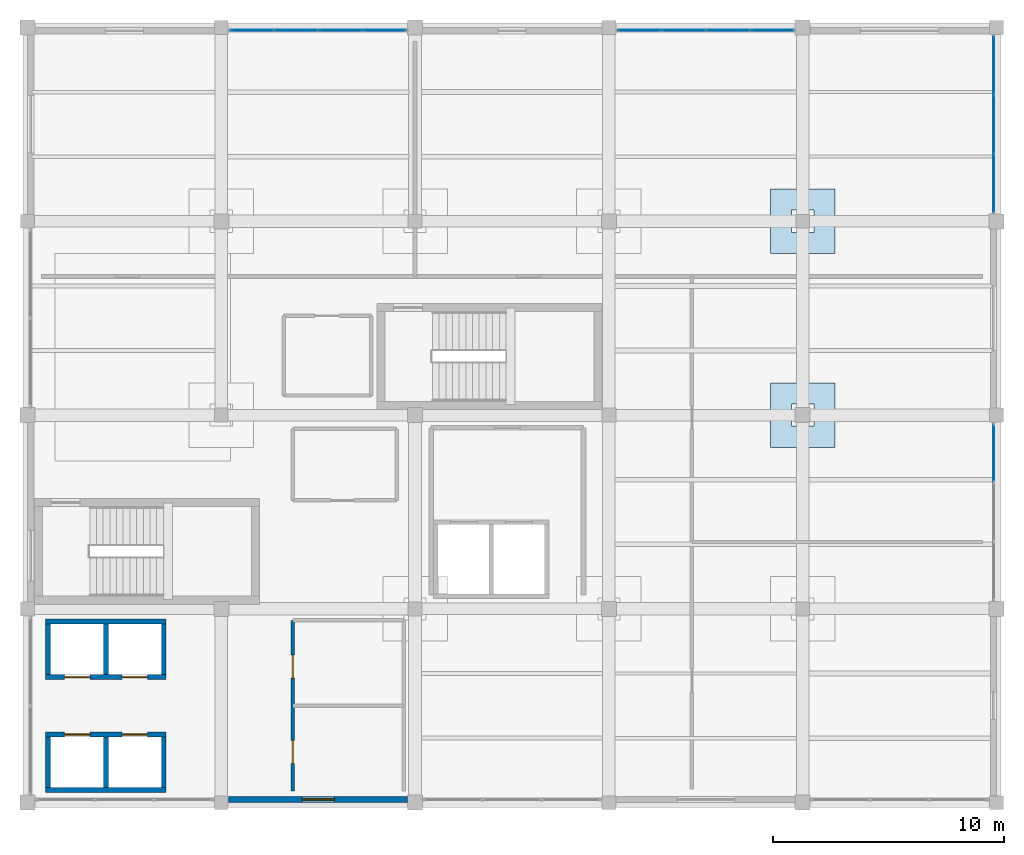
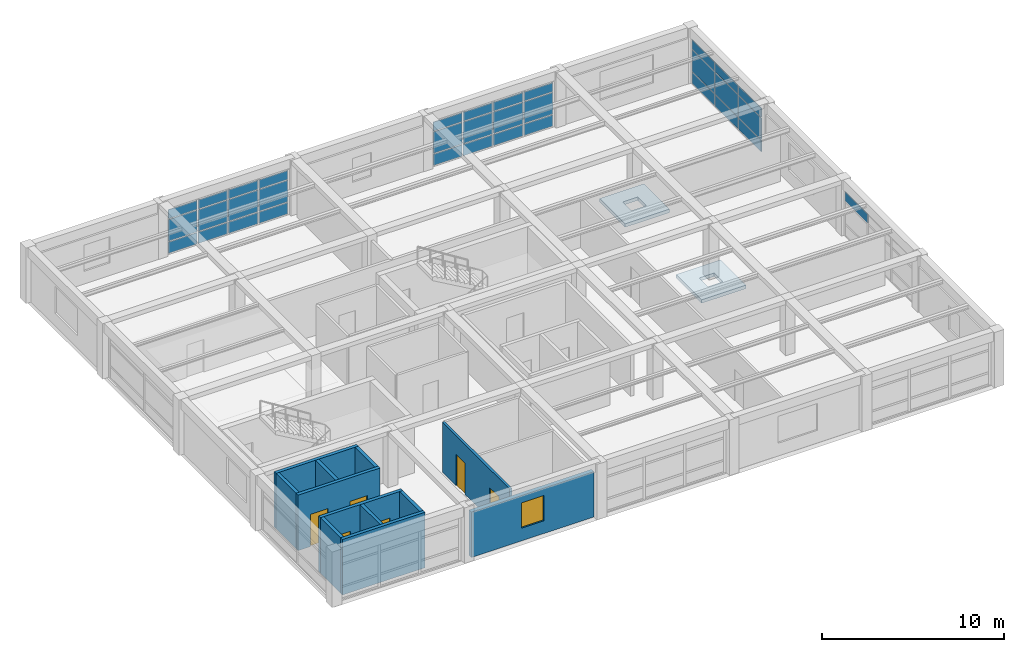
# One storey, part 22 of 25: 34 plates, 12 walls, 6 doors, 2 slabs, 1 window, 7 openings, 4 elements without a shape of their own.
"""IFC4 building model written with IfcOpenShell, lengths in metres."""

from ifc_helpers import new_model, si_unit, direction, frame, frame_2d, origin, origin_2d, place, context, subcontext, project, spatial, polyline, rectangle, outline, extrude, material, layer, layer_set, type_object, element, fill, aggregate, save


model = new_model("IFC4")

# Units and contexts
model_context = context("Model", 3, precision=1e-05, world=origin(), true_north=direction((0.0, 1.0)))
body_context = subcontext(model_context, "Body", "Model", "MODEL_VIEW")
ifc_project = project(units=[si_unit("LENGTHUNIT", "METRE"), si_unit("AREAUNIT", "SQUARE_METRE"), si_unit("VOLUMEUNIT", "CUBIC_METRE"), si_unit("PLANEANGLEUNIT", "RADIAN"), si_unit("MASSUNIT", "GRAM", prefix="KILO")], contexts=[model_context])

# Site, building, storey
site_placement = place(None, origin())
site = spatial("IfcSite", under=ifc_project, at=site_placement, CompositionType="ELEMENT")
building_placement = place(site_placement, origin())
building = spatial("IfcBuilding", under=site, at=building_placement, Name="Almacenes y Pasaje Nevantli", CompositionType="ELEMENT")
storey_placement = place(building_placement, frame((0.0, 0.0, 50.699951171875)))
storey = spatial("IfcBuildingStorey", under=building, at=storey_placement, Name="L12", CompositionType="ELEMENT", Elevation=50.699951171875)

# Curtain wall, plates
ifc_material_1 = material(Name="Thermally Broken Aluminium and Low-E Glass", Category="aluminium")
curtain_wall_type = type_object("IfcCurtainWallType", Name="CW-UNIT-TOWER", PredefinedType="USERDEFINED", material=ifc_material_1)
curtain_wall_1_placement = place(storey_placement, origin())
curtain_wall_1 = element("IfcCurtainWall", 1, at=curtain_wall_1_placement, inside=storey, type_object=curtain_wall_type, Name="L12 Tower North Boulevard Unitized Curtain Wall Bay 16", ObjectType="UNITIZED CURTAIN WALL", PredefinedType="USERDEFINED")
ifc_material_2 = material(Name="Acoustic Tempered Low-E Triple Glazed Unit", Category="glass")
ifc_layer_1 = layer(ifc_material_2, 0.0419921875)
ifc_layer_set_1 = layer_set([ifc_layer_1], Name="Acoustic Tempered Low-E Triple Glazed Unit")
plate_type = type_object("IfcPlateType", Name="PL-IGU-42", PredefinedType="CURTAIN_PANEL", material=ifc_layer_set_1)
plate_1_placement = place(storey_placement, frame((127.328857421875, 100.679931640625, 0.065185546875), z_axis=(0.0, 0.0, 1.0), x_axis=(1.0, 0.0, 0.0)))
plate_1 = element("IfcPlate", 2, at=plate_1_placement, type_object=plate_type, Name="CW-L12-160 panel 1.1", PredefinedType="CURTAIN_PANEL", context=body_context, shape_type="SweptSolid", body=[
    extrude(rectangle(XDim=1.827392578125, YDim=0.0419921875, at=origin_2d()), origin(), (0.0, 0.0, 1.0), 0.75244140625),
])
plate_2_placement = place(storey_placement, frame((127.328857421875, 100.679931640625, 0.882568359375), z_axis=(0.0, 0.0, 1.0), x_axis=(1.0, 0.0, 0.0)))
plate_2 = element("IfcPlate", 3, at=plate_2_placement, type_object=plate_type, Name="CW-L12-160 panel 1.2", PredefinedType="CURTAIN_PANEL", context=body_context, shape_type="SweptSolid", body=[
    extrude(rectangle(XDim=1.827392578125, YDim=0.0419921875, at=origin_2d()), origin(), (0.0, 0.0, 1.0), 1.43505859375),
])
plate_3_placement = place(storey_placement, frame((127.328857421875, 100.679931640625, 2.38232421875), z_axis=(0.0, 0.0, 1.0), x_axis=(1.0, 0.0, 0.0)))
plate_3 = element("IfcPlate", 4, at=plate_3_placement, type_object=plate_type, Name="CW-L12-160 panel 1.3", PredefinedType="CURTAIN_PANEL", context=body_context, shape_type="SweptSolid", body=[
    extrude(rectangle(XDim=1.827392578125, YDim=0.0419921875, at=origin_2d()), origin(), (0.0, 0.0, 1.0), 0.592529296875),
])
plate_4_placement = place(storey_placement, frame((129.237548828125, 100.679931640625, 0.065185546875), z_axis=(0.0, 0.0, 1.0), x_axis=(1.0, 0.0, 0.0)))
plate_4 = element("IfcPlate", 5, at=plate_4_placement, type_object=plate_type, Name="CW-L12-160 panel 2.1", PredefinedType="CURTAIN_PANEL", context=body_context, shape_type="SweptSolid", body=[
    extrude(rectangle(XDim=1.860107421875, YDim=0.0419921875, at=origin_2d()), origin(), (0.0, 0.0, 1.0), 0.75244140625),
])
plate_5_placement = place(storey_placement, frame((129.237548828125, 100.679931640625, 0.882568359375), z_axis=(0.0, 0.0, 1.0), x_axis=(1.0, 0.0, 0.0)))
plate_5 = element("IfcPlate", 6, at=plate_5_placement, type_object=plate_type, Name="CW-L12-160 panel 2.2", PredefinedType="CURTAIN_PANEL", context=body_context, shape_type="SweptSolid", body=[
    extrude(rectangle(XDim=1.860107421875, YDim=0.0419921875, at=origin_2d()), origin(), (0.0, 0.0, 1.0), 1.43505859375),
])
plate_6_placement = place(storey_placement, frame((129.237548828125, 100.679931640625, 2.38232421875), z_axis=(0.0, 0.0, 1.0), x_axis=(1.0, 0.0, 0.0)))
plate_6 = element("IfcPlate", 7, at=plate_6_placement, type_object=plate_type, Name="CW-L12-160 panel 2.3", PredefinedType="CURTAIN_PANEL", context=body_context, shape_type="SweptSolid", body=[
    extrude(rectangle(XDim=1.860107421875, YDim=0.0419921875, at=origin_2d()), origin(), (0.0, 0.0, 1.0), 0.592529296875),
])
plate_7_placement = place(storey_placement, frame((131.16259765625, 100.679931640625, 0.065185546875), z_axis=(0.0, 0.0, 1.0), x_axis=(1.0, 0.0, 0.0)))
plate_7 = element("IfcPlate", 8, at=plate_7_placement, type_object=plate_type, Name="CW-L12-160 panel 3.1", PredefinedType="CURTAIN_PANEL", context=body_context, shape_type="SweptSolid", body=[
    extrude(rectangle(XDim=1.860107421875, YDim=0.0419921875, at=origin_2d()), origin(), (0.0, 0.0, 1.0), 0.75244140625),
])
plate_8_placement = place(storey_placement, frame((131.16259765625, 100.679931640625, 0.882568359375), z_axis=(0.0, 0.0, 1.0), x_axis=(1.0, 0.0, 0.0)))
plate_8 = element("IfcPlate", 9, at=plate_8_placement, type_object=plate_type, Name="CW-L12-160 panel 3.2", PredefinedType="CURTAIN_PANEL", context=body_context, shape_type="SweptSolid", body=[
    extrude(rectangle(XDim=1.860107421875, YDim=0.0419921875, at=origin_2d()), origin(), (0.0, 0.0, 1.0), 1.43505859375),
])
plate_9_placement = place(storey_placement, frame((131.16259765625, 100.679931640625, 2.38232421875), z_axis=(0.0, 0.0, 1.0), x_axis=(1.0, 0.0, 0.0)))
plate_9 = element("IfcPlate", 10, at=plate_9_placement, type_object=plate_type, Name="CW-L12-160 panel 3.3", PredefinedType="CURTAIN_PANEL", context=body_context, shape_type="SweptSolid", body=[
    extrude(rectangle(XDim=1.860107421875, YDim=0.0419921875, at=origin_2d()), origin(), (0.0, 0.0, 1.0), 0.592529296875),
])
plate_10_placement = place(storey_placement, frame((133.0712890625, 100.679931640625, 0.065185546875), z_axis=(0.0, 0.0, 1.0), x_axis=(1.0, 0.0, 0.0)))
plate_10 = element("IfcPlate", 11, at=plate_10_placement, type_object=plate_type, Name="CW-L12-160 panel 4.1", PredefinedType="CURTAIN_PANEL", context=body_context, shape_type="SweptSolid", body=[
    extrude(rectangle(XDim=1.827392578125, YDim=0.0419921875, at=origin_2d()), origin(), (0.0, 0.0, 1.0), 0.75244140625),
])
plate_11_placement = place(storey_placement, frame((133.0712890625, 100.679931640625, 0.882568359375), z_axis=(0.0, 0.0, 1.0), x_axis=(1.0, 0.0, 0.0)))
plate_11 = element("IfcPlate", 12, at=plate_11_placement, type_object=plate_type, Name="CW-L12-160 panel 4.2", PredefinedType="CURTAIN_PANEL", context=body_context, shape_type="SweptSolid", body=[
    extrude(rectangle(XDim=1.827392578125, YDim=0.0419921875, at=origin_2d()), origin(), (0.0, 0.0, 1.0), 1.43505859375),
])
plate_12_placement = place(storey_placement, frame((133.0712890625, 100.679931640625, 2.38232421875), z_axis=(0.0, 0.0, 1.0), x_axis=(1.0, 0.0, 0.0)))
plate_12 = element("IfcPlate", 13, at=plate_12_placement, type_object=plate_type, Name="CW-L12-160 panel 4.3", PredefinedType="CURTAIN_PANEL", context=body_context, shape_type="SweptSolid", body=[
    extrude(rectangle(XDim=1.827392578125, YDim=0.0419921875, at=origin_2d()), origin(), (0.0, 0.0, 1.0), 0.592529296875),
])
aggregate(curtain_wall_1, [plate_1, plate_2, plate_3, plate_4, plate_5, plate_6, plate_7, plate_8, plate_9, plate_10, plate_11, plate_12])

curtain_wall_2_placement = place(storey_placement, origin())
curtain_wall_2 = element("IfcCurtainWall", 14, at=curtain_wall_2_placement, inside=storey, type_object=curtain_wall_type, Name="L12 Tower North Boulevard Unitized Curtain Wall Bay 18", ObjectType="UNITIZED CURTAIN WALL", PredefinedType="USERDEFINED")
plate_13_placement = place(storey_placement, frame((144.128662109375, 100.679931640625, 0.065185546875), z_axis=(0.0, 0.0, 1.0), x_axis=(1.0, 0.0, 0.0)))
plate_13 = element("IfcPlate", 15, at=plate_13_placement, type_object=plate_type, Name="CW-L12-162 panel 1.1", PredefinedType="CURTAIN_PANEL", context=body_context, shape_type="SweptSolid", body=[
    extrude(rectangle(XDim=1.827392578125, YDim=0.0419921875, at=origin_2d()), origin(), (0.0, 0.0, 1.0), 0.75244140625),
])
plate_14_placement = place(storey_placement, frame((144.128662109375, 100.679931640625, 0.882568359375), z_axis=(0.0, 0.0, 1.0), x_axis=(1.0, 0.0, 0.0)))
plate_14 = element("IfcPlate", 16, at=plate_14_placement, type_object=plate_type, Name="CW-L12-162 panel 1.2", PredefinedType="CURTAIN_PANEL", context=body_context, shape_type="SweptSolid", body=[
    extrude(rectangle(XDim=1.827392578125, YDim=0.0419921875, at=origin_2d()), origin(), (0.0, 0.0, 1.0), 1.43505859375),
])
plate_15_placement = place(storey_placement, frame((144.128662109375, 100.679931640625, 2.38232421875), z_axis=(0.0, 0.0, 1.0), x_axis=(1.0, 0.0, 0.0)))
plate_15 = element("IfcPlate", 17, at=plate_15_placement, type_object=plate_type, Name="CW-L12-162 panel 1.3", PredefinedType="CURTAIN_PANEL", context=body_context, shape_type="SweptSolid", body=[
    extrude(rectangle(XDim=1.827392578125, YDim=0.0419921875, at=origin_2d()), origin(), (0.0, 0.0, 1.0), 0.592529296875),
])
plate_16_placement = place(storey_placement, frame((146.03759765625, 100.679931640625, 0.065185546875), z_axis=(0.0, 0.0, 1.0), x_axis=(1.0, 0.0, 0.0)))
plate_16 = element("IfcPlate", 18, at=plate_16_placement, type_object=plate_type, Name="CW-L12-162 panel 2.1", PredefinedType="CURTAIN_PANEL", context=body_context, shape_type="SweptSolid", body=[
    extrude(rectangle(XDim=1.860107421875, YDim=0.0419921875, at=origin_2d()), origin(), (0.0, 0.0, 1.0), 0.75244140625),
])
plate_17_placement = place(storey_placement, frame((146.03759765625, 100.679931640625, 0.882568359375), z_axis=(0.0, 0.0, 1.0), x_axis=(1.0, 0.0, 0.0)))
plate_17 = element("IfcPlate", 19, at=plate_17_placement, type_object=plate_type, Name="CW-L12-162 panel 2.2", PredefinedType="CURTAIN_PANEL", context=body_context, shape_type="SweptSolid", body=[
    extrude(rectangle(XDim=1.860107421875, YDim=0.0419921875, at=origin_2d()), origin(), (0.0, 0.0, 1.0), 1.43505859375),
])
plate_18_placement = place(storey_placement, frame((146.03759765625, 100.679931640625, 2.38232421875), z_axis=(0.0, 0.0, 1.0), x_axis=(1.0, 0.0, 0.0)))
plate_18 = element("IfcPlate", 20, at=plate_18_placement, type_object=plate_type, Name="CW-L12-162 panel 2.3", PredefinedType="CURTAIN_PANEL", context=body_context, shape_type="SweptSolid", body=[
    extrude(rectangle(XDim=1.860107421875, YDim=0.0419921875, at=origin_2d()), origin(), (0.0, 0.0, 1.0), 0.592529296875),
])
plate_19_placement = place(storey_placement, frame((147.96240234375, 100.679931640625, 0.065185546875), z_axis=(0.0, 0.0, 1.0), x_axis=(1.0, 0.0, 0.0)))
plate_19 = element("IfcPlate", 21, at=plate_19_placement, type_object=plate_type, Name="CW-L12-162 panel 3.1", PredefinedType="CURTAIN_PANEL", context=body_context, shape_type="SweptSolid", body=[
    extrude(rectangle(XDim=1.860107421875, YDim=0.0419921875, at=origin_2d()), origin(), (0.0, 0.0, 1.0), 0.75244140625),
])
plate_20_placement = place(storey_placement, frame((147.96240234375, 100.679931640625, 0.882568359375), z_axis=(0.0, 0.0, 1.0), x_axis=(1.0, 0.0, 0.0)))
plate_20 = element("IfcPlate", 22, at=plate_20_placement, type_object=plate_type, Name="CW-L12-162 panel 3.2", PredefinedType="CURTAIN_PANEL", context=body_context, shape_type="SweptSolid", body=[
    extrude(rectangle(XDim=1.860107421875, YDim=0.0419921875, at=origin_2d()), origin(), (0.0, 0.0, 1.0), 1.43505859375),
])
plate_21_placement = place(storey_placement, frame((147.96240234375, 100.679931640625, 2.38232421875), z_axis=(0.0, 0.0, 1.0), x_axis=(1.0, 0.0, 0.0)))
plate_21 = element("IfcPlate", 23, at=plate_21_placement, type_object=plate_type, Name="CW-L12-162 panel 3.3", PredefinedType="CURTAIN_PANEL", context=body_context, shape_type="SweptSolid", body=[
    extrude(rectangle(XDim=1.860107421875, YDim=0.0419921875, at=origin_2d()), origin(), (0.0, 0.0, 1.0), 0.592529296875),
])
plate_22_placement = place(storey_placement, frame((149.871337890625, 100.679931640625, 0.065185546875), z_axis=(0.0, 0.0, 1.0), x_axis=(1.0, 0.0, 0.0)))
plate_22 = element("IfcPlate", 24, at=plate_22_placement, type_object=plate_type, Name="CW-L12-162 panel 4.1", PredefinedType="CURTAIN_PANEL", context=body_context, shape_type="SweptSolid", body=[
    extrude(rectangle(XDim=1.827392578125, YDim=0.0419921875, at=origin_2d()), origin(), (0.0, 0.0, 1.0), 0.75244140625),
])
plate_23_placement = place(storey_placement, frame((149.871337890625, 100.679931640625, 0.882568359375), z_axis=(0.0, 0.0, 1.0), x_axis=(1.0, 0.0, 0.0)))
plate_23 = element("IfcPlate", 25, at=plate_23_placement, type_object=plate_type, Name="CW-L12-162 panel 4.2", PredefinedType="CURTAIN_PANEL", context=body_context, shape_type="SweptSolid", body=[
    extrude(rectangle(XDim=1.827392578125, YDim=0.0419921875, at=origin_2d()), origin(), (0.0, 0.0, 1.0), 1.43505859375),
])
plate_24_placement = place(storey_placement, frame((149.871337890625, 100.679931640625, 2.38232421875), z_axis=(0.0, 0.0, 1.0), x_axis=(1.0, 0.0, 0.0)))
plate_24 = element("IfcPlate", 26, at=plate_24_placement, type_object=plate_type, Name="CW-L12-162 panel 4.3", PredefinedType="CURTAIN_PANEL", context=body_context, shape_type="SweptSolid", body=[
    extrude(rectangle(XDim=1.827392578125, YDim=0.0419921875, at=origin_2d()), origin(), (0.0, 0.0, 1.0), 0.592529296875),
])
aggregate(curtain_wall_2, [plate_13, plate_14, plate_15, plate_16, plate_17, plate_18, plate_19, plate_20, plate_21, plate_22, plate_23, plate_24])

# Curtain wall, plate
curtain_wall_3_placement = place(storey_placement, origin())
curtain_wall_3 = element("IfcCurtainWall", 27, at=curtain_wall_3_placement, inside=storey, type_object=curtain_wall_type, Name="L12 Tower East Curtain Wall Bay 10", ObjectType="UNITIZED CURTAIN WALL", PredefinedType="USERDEFINED")
plate_25_placement = place(storey_placement, frame((159.47998046875, 82.3515625, 2.3798828125), z_axis=(0.0, 0.0, 1.0), x_axis=(0.0, 1.0, 0.0)))
plate_25 = element("IfcPlate", 28, at=plate_25_placement, type_object=plate_type, Name="CW-L12-165 panel 3.3", PredefinedType="CURTAIN_PANEL", context=body_context, shape_type="SweptSolid", body=[
    extrude(rectangle(XDim=2.4765625, YDim=0.0419921875, at=origin_2d()), origin(), (0.0, 0.0, 1.0), 0.60009765625),
])
aggregate(curtain_wall_3, [plate_25])

# Curtain wall, plates
curtain_wall_4_placement = place(storey_placement, origin())
curtain_wall_4 = element("IfcCurtainWall", 29, at=curtain_wall_4_placement, inside=storey, type_object=curtain_wall_type, Name="L12 Tower East Curtain Wall Bay 12", ObjectType="UNITIZED CURTAIN WALL", PredefinedType="USERDEFINED")
plate_26_placement = place(storey_placement, frame((159.47998046875, 94.04833984375, 0.06005859375), z_axis=(0.0, 0.0, 1.0), x_axis=(0.0, 1.0, 0.0)))
plate_26 = element("IfcPlate", 30, at=plate_26_placement, type_object=plate_type, Name="CW-L12-167 panel 1.1", PredefinedType="CURTAIN_PANEL", context=body_context, shape_type="SweptSolid", body=[
    extrude(rectangle(XDim=2.4765625, YDim=0.0419921875, at=origin_2d()), origin(), (0.0, 0.0, 1.0), 0.760009765625),
])
plate_27_placement = place(storey_placement, frame((159.47998046875, 94.04833984375, 0.880126953125), z_axis=(0.0, 0.0, 1.0), x_axis=(0.0, 1.0, 0.0)))
plate_27 = element("IfcPlate", 31, at=plate_27_placement, type_object=plate_type, Name="CW-L12-167 panel 1.2", PredefinedType="CURTAIN_PANEL", context=body_context, shape_type="SweptSolid", body=[
    extrude(rectangle(XDim=2.4765625, YDim=0.0419921875, at=origin_2d()), origin(), (0.0, 0.0, 1.0), 1.43994140625),
])
plate_28_placement = place(storey_placement, frame((159.47998046875, 94.04833984375, 2.3798828125), z_axis=(0.0, 0.0, 1.0), x_axis=(0.0, 1.0, 0.0)))
plate_28 = element("IfcPlate", 32, at=plate_28_placement, type_object=plate_type, Name="CW-L12-167 panel 1.3", PredefinedType="CURTAIN_PANEL", context=body_context, shape_type="SweptSolid", body=[
    extrude(rectangle(XDim=2.4765625, YDim=0.0419921875, at=origin_2d()), origin(), (0.0, 0.0, 1.0), 0.60009765625),
])
plate_29_placement = place(storey_placement, frame((159.47998046875, 96.60009765625, 0.06005859375), z_axis=(0.0, 0.0, 1.0), x_axis=(0.0, 1.0, 0.0)))
plate_29 = element("IfcPlate", 33, at=plate_29_placement, type_object=plate_type, Name="CW-L12-167 panel 2.1", PredefinedType="CURTAIN_PANEL", context=body_context, shape_type="SweptSolid", body=[
    extrude(rectangle(XDim=2.506591796875, YDim=0.0419921875, at=origin_2d()), origin(), (0.0, 0.0, 1.0), 0.760009765625),
])
plate_30_placement = place(storey_placement, frame((159.47998046875, 96.60009765625, 0.880126953125), z_axis=(0.0, 0.0, 1.0), x_axis=(0.0, 1.0, 0.0)))
plate_30 = element("IfcPlate", 34, at=plate_30_placement, type_object=plate_type, Name="CW-L12-167 panel 2.2", PredefinedType="CURTAIN_PANEL", context=body_context, shape_type="SweptSolid", body=[
    extrude(rectangle(XDim=2.506591796875, YDim=0.0419921875, at=origin_2d()), origin(), (0.0, 0.0, 1.0), 1.43994140625),
])
plate_31_placement = place(storey_placement, frame((159.47998046875, 96.60009765625, 2.3798828125), z_axis=(0.0, 0.0, 1.0), x_axis=(0.0, 1.0, 0.0)))
plate_31 = element("IfcPlate", 35, at=plate_31_placement, type_object=plate_type, Name="CW-L12-167 panel 2.3", PredefinedType="CURTAIN_PANEL", context=body_context, shape_type="SweptSolid", body=[
    extrude(rectangle(XDim=2.506591796875, YDim=0.0419921875, at=origin_2d()), origin(), (0.0, 0.0, 1.0), 0.60009765625),
])
plate_32_placement = place(storey_placement, frame((159.47998046875, 99.151611328125, 0.06005859375), z_axis=(0.0, 0.0, 1.0), x_axis=(0.0, 1.0, 0.0)))
plate_32 = element("IfcPlate", 36, at=plate_32_placement, type_object=plate_type, Name="CW-L12-167 panel 3.1", PredefinedType="CURTAIN_PANEL", context=body_context, shape_type="SweptSolid", body=[
    extrude(rectangle(XDim=2.4765625, YDim=0.0419921875, at=origin_2d()), origin(), (0.0, 0.0, 1.0), 0.760009765625),
])
plate_33_placement = place(storey_placement, frame((159.47998046875, 99.151611328125, 0.880126953125), z_axis=(0.0, 0.0, 1.0), x_axis=(0.0, 1.0, 0.0)))
plate_33 = element("IfcPlate", 37, at=plate_33_placement, type_object=plate_type, Name="CW-L12-167 panel 3.2", PredefinedType="CURTAIN_PANEL", context=body_context, shape_type="SweptSolid", body=[
    extrude(rectangle(XDim=2.4765625, YDim=0.0419921875, at=origin_2d()), origin(), (0.0, 0.0, 1.0), 1.43994140625),
])
plate_34_placement = place(storey_placement, frame((159.47998046875, 99.151611328125, 2.3798828125), z_axis=(0.0, 0.0, 1.0), x_axis=(0.0, 1.0, 0.0)))
plate_34 = element("IfcPlate", 38, at=plate_34_placement, type_object=plate_type, Name="CW-L12-167 panel 3.3", PredefinedType="CURTAIN_PANEL", context=body_context, shape_type="SweptSolid", body=[
    extrude(rectangle(XDim=2.4765625, YDim=0.0419921875, at=origin_2d()), origin(), (0.0, 0.0, 1.0), 0.60009765625),
])
aggregate(curtain_wall_4, [plate_26, plate_27, plate_28, plate_29, plate_30, plate_31, plate_32, plate_33, plate_34])

# Slabs
ifc_material_3 = material(Name="Concrete C35/45", Category="concrete")
ifc_layer_2 = layer(ifc_material_3, 0.22998046875)
ifc_layer_set_2 = layer_set([ifc_layer_2], Name="Concrete C35/45")
slab_type = type_object("IfcSlabType", Name="SLB-DP-230", PredefinedType="USERDEFINED", material=ifc_layer_set_2)
slab_1_placement = place(storey_placement, frame((0.0, 0.0, -0.510009765625)))
element("IfcSlab", 39, at=slab_1_placement, inside=storey, type_object=slab_type, Name="L12 Punching-Shear Drop Panel DP-01 #1168", ObjectType="DROP PANEL", PredefinedType="USERDEFINED", context=body_context, shape_type="SweptSolid", body=[
    extrude(outline(polyline([(149.800048828125, 82.60009765625), (152.60009765625, 82.60009765625), (152.60009765625, 85.39990234375), (149.800048828125, 85.39990234375), (149.800048828125, 82.60009765625)]), holes=[polyline([(150.719970703125, 83.52001953125), (151.679931640625, 83.52001953125), (151.679931640625, 84.47998046875), (150.719970703125, 84.47998046875), (150.719970703125, 83.52001953125)])]), origin(), (0.0, 0.0, 1.0), 0.22998046875),
])
slab_2_placement = place(storey_placement, frame((0.0, 0.0, -0.510009765625)))
element("IfcSlab", 40, at=slab_2_placement, inside=storey, type_object=slab_type, Name="L12 Punching-Shear Drop Panel DP-01 #1169", ObjectType="DROP PANEL", PredefinedType="USERDEFINED", context=body_context, shape_type="SweptSolid", body=[
    extrude(outline(polyline([(149.800048828125, 91.0), (152.60009765625, 91.0), (152.60009765625, 93.800048828125), (149.800048828125, 93.800048828125), (149.800048828125, 91.0)]), holes=[polyline([(150.719970703125, 91.919921875), (151.679931640625, 91.919921875), (151.679931640625, 92.8798828125), (150.719970703125, 92.8798828125), (150.719970703125, 91.919921875)])]), origin(), (0.0, 0.0, 1.0), 0.22998046875),
])

# Wall, opening, window
ifc_material_4 = material(Name="Cream Architectural Precast Concrete C35/45 Wall", Category="concrete")
ifc_layer_3 = layer(ifc_material_4, 0.260009765625)
ifc_layer_set_3 = layer_set([ifc_layer_3], Name="Cream Architectural Precast Concrete C35/45 Wall")
wall_type_1 = type_object("IfcWallType", Name="WL-EXT-PRECAST-260", PredefinedType="SOLIDWALL", material=ifc_layer_set_3)
wall_1_placement = place(storey_placement, frame((126.303955078125, 67.340087890625, 0.0), z_axis=(0.0, 0.0, 1.0), x_axis=(1.0, 0.0, 0.0)))
wall_1 = element("IfcWall", 41, at=wall_1_placement, inside=storey, type_object=wall_type_1, Name="L12 Tower South Precast Spandrel Wall Bay 16", PredefinedType="SOLIDWALL", context=body_context, shape_type="SweptSolid", body=[
    extrude(rectangle(XDim=7.76806640625, YDim=0.260009765625, at=frame_2d((3.884033203125, 0.0))), origin(), (0.0, 0.0, 1.0), 3.0400390625),
])
opening_1_placement = place(wall_1_placement, frame((3.196044921875, 0.0, 0.85009765625)))
opening_1 = element("IfcOpeningElement", 42, at=opening_1_placement, cuts=wall_1, Name="Opening WT-34-251", PredefinedType="OPENING", context=body_context, shape_type="SweptSolid", body=[
    extrude(rectangle(XDim=1.39990234375, YDim=1.699951171875, at=frame_2d((0.699951171875, 0.85009765625))), frame((0.0, 0.139892578125, 0.0), z_axis=(0.0, -1.0, 0.0), x_axis=(1.0, 0.0, 0.0)), (0.0, 0.0, 1.0), 0.280029296875),
])
ifc_material_5 = material(Name="Thermally Broken Aluminium and Low-E Double Glazing", Category="aluminium")
window_type = type_object("IfcWindowType", Name="WN-TWR-1400x1700", PartitioningType="SINGLE_PANEL", PredefinedType="WINDOW", material=ifc_material_5)
window_placement = place(opening_1_placement, origin())
window = element("IfcWindow", 43, at=window_placement, inside=storey, type_object=window_type, Name="L12 Exterior Window WT-34 #251", OverallHeight=1.699951171875, OverallWidth=1.39990234375, PartitioningType="SINGLE_PANEL", PredefinedType="WINDOW", context=body_context, shape_type="SweptSolid", body=[
    extrude(rectangle(XDim=1.39990234375, YDim=1.699951171875, at=frame_2d((0.699951171875, 0.85009765625))), frame((0.0, 0.030029296875, 0.0), z_axis=(0.0, -1.0, 0.0), x_axis=(1.0, 0.0, 0.0)), (0.0, 0.0, 1.0), 0.06005859375),
])
fill(opening_1, window)

# Wall, openings, doors
ifc_material_6 = material(Name="Acoustic Steel-Stud Gypsum Partition", Category="steel")
ifc_layer_4 = layer(ifc_material_6, 0.14990234375)
ifc_layer_set_4 = layer_set([ifc_layer_4], Name="Acoustic Steel-Stud Gypsum Partition")
wall_type_2 = type_object("IfcWallType", Name="WL-PART-150", PredefinedType="PARTITIONING", material=ifc_layer_set_4)
wall_2_placement = place(storey_placement, frame((129.10009765625, 67.699951171875, 0.0), z_axis=(0.0, 0.0, 1.0), x_axis=(0.0, 1.0, 0.0)))
wall_2 = element("IfcWall", 44, at=wall_2_placement, inside=storey, type_object=wall_type_2, Name="L12 Interior Partition Wall IW-150 #213", PredefinedType="PARTITIONING", context=body_context, shape_type="SweptSolid", body=[
    extrude(rectangle(XDim=7.400146484375, YDim=0.14990234375, at=frame_2d((3.7001953125, 0.0))), origin(), (0.0, 0.0, 1.0), 3.340087890625),
])
opening_2_placement = place(wall_2_placement, frame((1.199951171875, 0.0, 0.0)))
opening_2 = element("IfcOpeningElement", 45, at=opening_2_placement, cuts=wall_2, Name="Opening ID-L12-114", PredefinedType="OPENING", context=body_context, shape_type="SweptSolid", body=[
    extrude(rectangle(XDim=1.0, YDim=2.10009765625, at=frame_2d((0.5, 1.050048828125))), frame((0.0, 0.0849609375, 0.0), z_axis=(0.0, -1.0, 0.0), x_axis=(1.0, 0.0, 0.0)), (0.0, 0.0, 1.0), 0.169921875),
])
opening_3_placement = place(wall_2_placement, frame((4.89990234375, 0.0, 0.0)))
opening_3 = element("IfcOpeningElement", 46, at=opening_3_placement, cuts=wall_2, Name="Opening ID-L12-115", PredefinedType="OPENING", context=body_context, shape_type="SweptSolid", body=[
    extrude(rectangle(XDim=1.0, YDim=2.10009765625, at=frame_2d((0.5, 1.050048828125))), frame((0.0, 0.0849609375, 0.0), z_axis=(0.0, -1.0, 0.0), x_axis=(1.0, 0.0, 0.0)), (0.0, 0.0, 1.0), 0.169921875),
])
ifc_material_7 = material(Name="Powder-Coated Hollow Metal", Category="steel")
door_type_1 = type_object("IfcDoorType", Name="DR-INT-1000", OperationType="SINGLE_SWING_LEFT", PredefinedType="DOOR", material=ifc_material_7)
door_1_placement = place(opening_2_placement, origin())
door_1 = element("IfcDoor", 47, at=door_1_placement, inside=storey, type_object=door_type_1, Name="L12 Archive Room Door", OperationType="SINGLE_SWING_LEFT", OverallHeight=2.10009765625, OverallWidth=1.0, PredefinedType="DOOR", context=body_context, shape_type="SweptSolid", body=[
    extrude(rectangle(XDim=1.0, YDim=2.10009765625, at=frame_2d((0.5, 1.050048828125))), frame((0.0, 0.02490234375, 0.0), z_axis=(0.0, -1.0, 0.0), x_axis=(1.0, 0.0, 0.0)), (0.0, 0.0, 1.0), 0.050048828125),
])
fill(opening_2, door_1)
ifc_material_8 = material(Name="Powder-Coated Hollow Metal", Category="steel")
door_type_2 = type_object("IfcDoorType", Name="DR-INT-1000R", OperationType="SINGLE_SWING_RIGHT", PredefinedType="DOOR", material=ifc_material_8)
door_2_placement = place(opening_3_placement, origin())
door_2 = element("IfcDoor", 48, at=door_2_placement, inside=storey, type_object=door_type_2, Name="L12 IT Server Room Door", OperationType="SINGLE_SWING_RIGHT", OverallHeight=2.10009765625, OverallWidth=1.0, PredefinedType="DOOR", context=body_context, shape_type="SweptSolid", body=[
    extrude(rectangle(XDim=1.0, YDim=2.10009765625, at=frame_2d((0.5, 1.050048828125))), frame((0.0, 0.02490234375, 0.0), z_axis=(0.0, -1.0, 0.0), x_axis=(1.0, 0.0, 0.0)), (0.0, 0.0, 1.0), 0.050048828125),
])
fill(opening_3, door_2)

# Wall
ifc_material_9 = material(Name="Concrete C45/55", Category="concrete")
ifc_layer_5 = layer(ifc_material_9, 0.2099609375)
ifc_layer_set_5 = layer_set([ifc_layer_5], Name="Concrete C45/55")
wall_type_3 = type_object("IfcWallType", Name="WL-SHAFT-210", PredefinedType="SHEAR", material=ifc_layer_set_5)
wall_3_placement = place(storey_placement, frame((118.389892578125, 67.7451171875, 0.0), z_axis=(0.0, 0.0, 1.0), x_axis=(1.0, 0.0, 0.0)))
element("IfcWall", 49, at=wall_3_placement, inside=storey, type_object=wall_type_3, Name="L12 Lift Hoistway ELV-P05-ELV-P06 South Wall", PredefinedType="SHEAR", context=body_context, shape_type="SweptSolid", body=[
    extrude(rectangle(XDim=5.22021484375, YDim=0.2099609375, at=frame_2d((2.610107421875, 0.0))), origin(), (0.0, 0.0, 1.0), 3.719970703125),
])

# Wall, openings, doors
wall_4_placement = place(storey_placement, frame((118.389892578125, 70.155029296875, 0.0), z_axis=(0.0, 0.0, 1.0), x_axis=(1.0, 0.0, 0.0)))
wall_4 = element("IfcWall", 50, at=wall_4_placement, inside=storey, type_object=wall_type_3, Name="L12 Lift Hoistway ELV-P05-ELV-P06 North Wall", PredefinedType="SHEAR", context=body_context, shape_type="SweptSolid", body=[
    extrude(rectangle(XDim=5.22021484375, YDim=0.2099609375, at=frame_2d((2.610107421875, 0.0))), origin(), (0.0, 0.0, 1.0), 3.719970703125),
])
opening_4_placement = place(wall_4_placement, frame((0.81005859375, 0.0, 0.0)))
opening_4 = element("IfcOpeningElement", 51, at=opening_4_placement, cuts=wall_4, Name="Opening LD-P05-L12", PredefinedType="OPENING", context=body_context, shape_type="SweptSolid", body=[
    extrude(rectangle(XDim=1.10009765625, YDim=2.14990234375, at=frame_2d((0.550048828125, 1.074951171875))), frame((0.0, 0.114990234375, 0.0), z_axis=(0.0, -1.0, 0.0), x_axis=(1.0, 0.0, 0.0)), (0.0, 0.0, 1.0), 0.22998046875),
])
opening_5_placement = place(wall_4_placement, frame((3.31005859375, 0.0, 0.0)))
opening_5 = element("IfcOpeningElement", 52, at=opening_5_placement, cuts=wall_4, Name="Opening LD-P06-L12", PredefinedType="OPENING", context=body_context, shape_type="SweptSolid", body=[
    extrude(rectangle(XDim=1.10009765625, YDim=2.14990234375, at=frame_2d((0.550048828125, 1.074951171875))), frame((0.0, 0.114990234375, 0.0), z_axis=(0.0, -1.0, 0.0), x_axis=(1.0, 0.0, 0.0)), (0.0, 0.0, 1.0), 0.22998046875),
])
ifc_material_10 = material(Name="Brushed Stainless Steel", Category="steel")
door_type_3 = type_object("IfcDoorType", Name="DR-LD-PASS-1100", OperationType="DOUBLE_DOOR_SLIDING", PredefinedType="DOOR", material=ifc_material_10)
door_3_placement = place(opening_4_placement, origin())
door_3 = element("IfcDoor", 53, at=door_3_placement, inside=storey, type_object=door_type_3, Name="Lift Landing Door ELV-P05 L12", OperationType="DOUBLE_DOOR_SLIDING", OverallHeight=2.14990234375, OverallWidth=1.10009765625, PredefinedType="DOOR", context=body_context, shape_type="SweptSolid", body=[
    extrude(rectangle(XDim=1.10009765625, YDim=2.14990234375, at=frame_2d((0.550048828125, 1.074951171875))), frame((0.0, 0.02490234375, 0.0), z_axis=(0.0, -1.0, 0.0), x_axis=(1.0, 0.0, 0.0)), (0.0, 0.0, 1.0), 0.050048828125),
])
fill(opening_4, door_3)
door_4_placement = place(opening_5_placement, origin())
door_4 = element("IfcDoor", 54, at=door_4_placement, inside=storey, type_object=door_type_3, Name="Lift Landing Door ELV-P06 L12", OperationType="DOUBLE_DOOR_SLIDING", OverallHeight=2.14990234375, OverallWidth=1.10009765625, PredefinedType="DOOR", context=body_context, shape_type="SweptSolid", body=[
    extrude(rectangle(XDim=1.10009765625, YDim=2.14990234375, at=frame_2d((0.550048828125, 1.074951171875))), frame((0.0, 0.02490234375, 0.0), z_axis=(0.0, -1.0, 0.0), x_axis=(1.0, 0.0, 0.0)), (0.0, 0.0, 1.0), 0.050048828125),
])
fill(opening_5, door_4)

# Walls
for number, where, z_axis, x_axis, name in (
    (55, (118.4951171875, 67.85009765625, 0.0), (0.0, 0.0, 1.0), (0.0, 1.0, 0.0), "L12 Lift Hoistway ELV-P05 West Wall"),
    (56, (123.5048828125, 67.85009765625, 0.0), (0.0, 0.0, 1.0), (0.0, 1.0, 0.0), "L12 Lift Hoistway ELV-P06 East Wall"),
    (57, (121.0, 67.85009765625, 0.0), (0.0, 0.0, 1.0), (0.0, 1.0, 0.0), "L12 Lift Hoistway Divider Wall ELV-P05/ELV-P06"),
):
    element("IfcWall", number, at=place(storey_placement, frame(where, z_axis=z_axis, x_axis=x_axis)), inside=storey, type_object=wall_type_3, Name=name, PredefinedType="SHEAR", context=body_context, shape_type="SweptSolid", body=[
        extrude(rectangle(XDim=2.199951171875, YDim=0.2099609375, at=frame_2d((1.10009765625, 0.0))), origin(), (0.0, 0.0, 1.0), 3.719970703125),
    ])

# Wall, openings, doors
wall_5_placement = place(storey_placement, frame((118.389892578125, 72.64501953125, 0.0), z_axis=(0.0, 0.0, 1.0), x_axis=(1.0, 0.0, 0.0)))
wall_5 = element("IfcWall", 58, at=wall_5_placement, inside=storey, type_object=wall_type_3, Name="L12 Lift Hoistway ELV-P07-ELV-P08 South Wall", PredefinedType="SHEAR", context=body_context, shape_type="SweptSolid", body=[
    extrude(rectangle(XDim=5.22021484375, YDim=0.2099609375, at=frame_2d((2.610107421875, 0.0))), origin(), (0.0, 0.0, 1.0), 3.719970703125),
])
opening_6_placement = place(wall_5_placement, frame((0.81005859375, 0.0, 0.0)))
opening_6 = element("IfcOpeningElement", 59, at=opening_6_placement, cuts=wall_5, Name="Opening LD-P07-L12", PredefinedType="OPENING", context=body_context, shape_type="SweptSolid", body=[
    extrude(rectangle(XDim=1.10009765625, YDim=2.14990234375, at=frame_2d((0.550048828125, 1.074951171875))), frame((0.0, 0.114990234375, 0.0), z_axis=(0.0, -1.0, 0.0), x_axis=(1.0, 0.0, 0.0)), (0.0, 0.0, 1.0), 0.22998046875),
])
opening_7_placement = place(wall_5_placement, frame((3.31005859375, 0.0, 0.0)))
opening_7 = element("IfcOpeningElement", 60, at=opening_7_placement, cuts=wall_5, Name="Opening LD-P08-L12", PredefinedType="OPENING", context=body_context, shape_type="SweptSolid", body=[
    extrude(rectangle(XDim=1.10009765625, YDim=2.14990234375, at=frame_2d((0.550048828125, 1.074951171875))), frame((0.0, 0.114990234375, 0.0), z_axis=(0.0, -1.0, 0.0), x_axis=(1.0, 0.0, 0.0)), (0.0, 0.0, 1.0), 0.22998046875),
])
door_5_placement = place(opening_6_placement, origin())
door_5 = element("IfcDoor", 61, at=door_5_placement, inside=storey, type_object=door_type_3, Name="Lift Landing Door ELV-P07 L12", OperationType="DOUBLE_DOOR_SLIDING", OverallHeight=2.14990234375, OverallWidth=1.10009765625, PredefinedType="DOOR", context=body_context, shape_type="SweptSolid", body=[
    extrude(rectangle(XDim=1.10009765625, YDim=2.14990234375, at=frame_2d((0.550048828125, 1.074951171875))), frame((0.0, 0.02490234375, 0.0), z_axis=(0.0, -1.0, 0.0), x_axis=(1.0, 0.0, 0.0)), (0.0, 0.0, 1.0), 0.050048828125),
])
fill(opening_6, door_5)
door_6_placement = place(opening_7_placement, origin())
door_6 = element("IfcDoor", 62, at=door_6_placement, inside=storey, type_object=door_type_3, Name="Lift Landing Door ELV-P08 L12", OperationType="DOUBLE_DOOR_SLIDING", OverallHeight=2.14990234375, OverallWidth=1.10009765625, PredefinedType="DOOR", context=body_context, shape_type="SweptSolid", body=[
    extrude(rectangle(XDim=1.10009765625, YDim=2.14990234375, at=frame_2d((0.550048828125, 1.074951171875))), frame((0.0, 0.02490234375, 0.0), z_axis=(0.0, -1.0, 0.0), x_axis=(1.0, 0.0, 0.0)), (0.0, 0.0, 1.0), 0.050048828125),
])
fill(opening_7, door_6)

# Walls
wall_6_placement = place(storey_placement, frame((118.389892578125, 75.054931640625, 0.0), z_axis=(0.0, 0.0, 1.0), x_axis=(1.0, 0.0, 0.0)))
element("IfcWall", 63, at=wall_6_placement, inside=storey, type_object=wall_type_3, Name="L12 Lift Hoistway ELV-P07-ELV-P08 North Wall", PredefinedType="SHEAR", context=body_context, shape_type="SweptSolid", body=[
    extrude(rectangle(XDim=5.22021484375, YDim=0.2099609375, at=frame_2d((2.610107421875, 0.0))), origin(), (0.0, 0.0, 1.0), 3.719970703125),
])
for number, where, z_axis, x_axis, name in (
    (64, (118.4951171875, 72.75, 0.0), (0.0, 0.0, 1.0), (0.0, 1.0, 0.0), "L12 Lift Hoistway ELV-P07 West Wall"),
    (65, (123.5048828125, 72.75, 0.0), (0.0, 0.0, 1.0), (0.0, 1.0, 0.0), "L12 Lift Hoistway ELV-P08 East Wall"),
    (66, (121.0, 72.75, 0.0), (0.0, 0.0, 1.0), (0.0, 1.0, 0.0), "L12 Lift Hoistway Divider Wall ELV-P07/ELV-P08"),
):
    element("IfcWall", number, at=place(storey_placement, frame(where, z_axis=z_axis, x_axis=x_axis)), inside=storey, type_object=wall_type_3, Name=name, PredefinedType="SHEAR", context=body_context, shape_type="SweptSolid", body=[
        extrude(rectangle(XDim=2.199951171875, YDim=0.2099609375, at=frame_2d((1.10009765625, 0.0))), origin(), (0.0, 0.0, 1.0), 3.719970703125),
    ])

save(model, "model.ifc")
